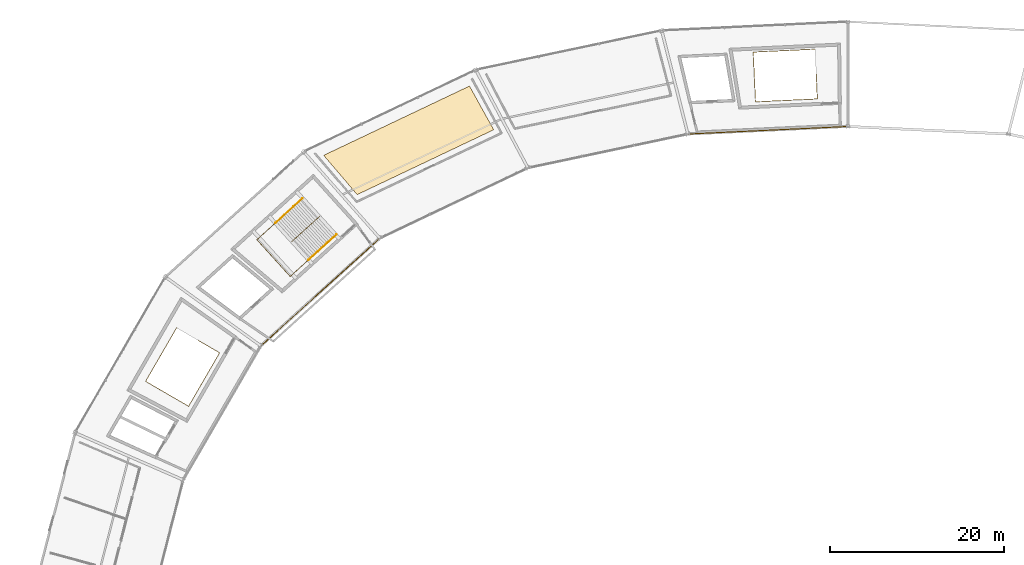
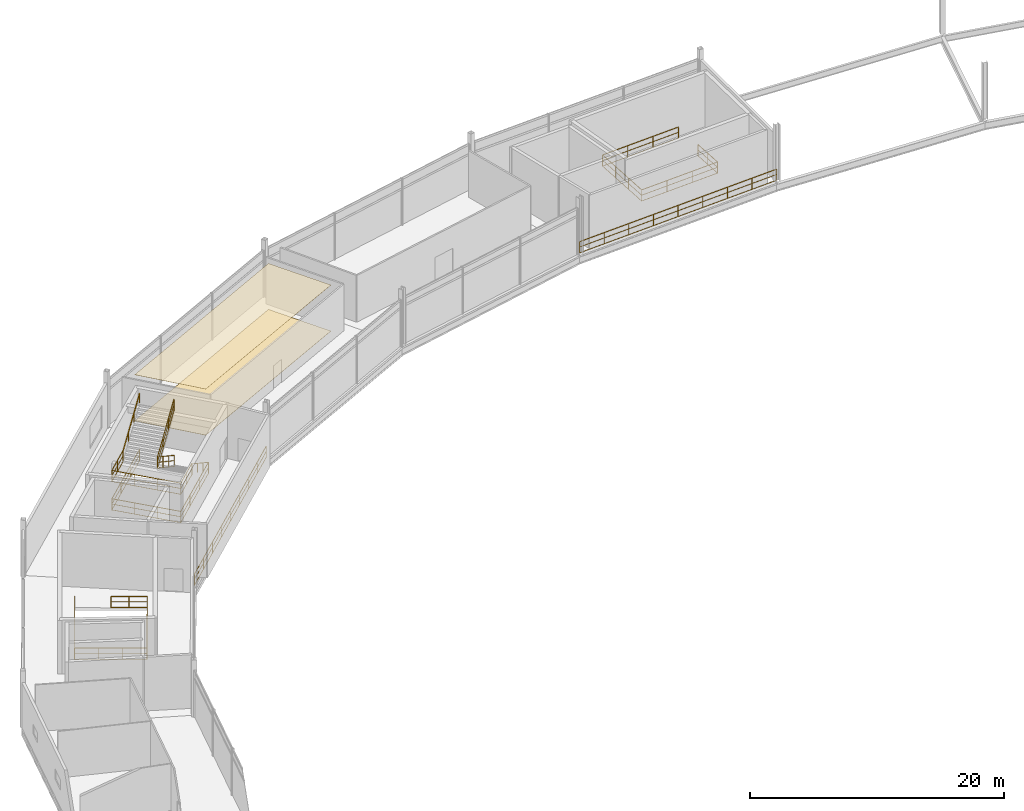
# One storey, part 85 of 86: 9 railings, 2 coverings.
"""IFC4 building model written with IfcOpenShell, lengths in metres."""

from ifc_helpers import new_model, si_unit, direction, frame, origin, origin_2d, place, context, subcontext, project, spatial, polyline, rectangle, outline, extrude, material, layer, layer_set, type_object, element, save


model = new_model("IFC4")

# Units and contexts
model_context = context("Model", 3, precision=1e-05, world=origin(), true_north=direction((0.0, 1.0)))
body_context = subcontext(model_context, "Body", "Model", "MODEL_VIEW")
ifc_project = project(units=[si_unit("LENGTHUNIT", "METRE"), si_unit("AREAUNIT", "SQUARE_METRE"), si_unit("VOLUMEUNIT", "CUBIC_METRE"), si_unit("PLANEANGLEUNIT", "RADIAN"), si_unit("MASSUNIT", "GRAM", prefix="KILO")], contexts=[model_context])

# Site, building, storey
site_placement = place(None, origin())
site = spatial("IfcSite", under=ifc_project, at=site_placement, CompositionType="ELEMENT")
building_placement = place(site_placement, origin())
building = spatial("IfcBuilding", under=site, at=building_placement, Name="Kazemori Nagisa Stadium", CompositionType="ELEMENT")
storey_placement = place(building_placement, frame((0.0, 0.0, 31.280029296875)))
storey = spatial("IfcBuildingStorey", under=building, at=storey_placement, Name="L06", CompositionType="ELEMENT", Elevation=31.280029296875)

# Coverings
ifc_material_1 = material(Name="Mineral-fibre acoustic board", Category="gypsum")
ifc_layer_1 = layer(ifc_material_1, 0.02001953125, Name="Mineral-fibre acoustic board", Category="gypsum")
ifc_layer_set_1 = layer_set([ifc_layer_1], Name="Mineral-fibre acoustic board")
covering_type_1 = type_object("IfcCoveringType", Name="Cov_CEIL", PredefinedType="CEILING", material=ifc_layer_set_1)
covering_1_placement = place(storey_placement, frame((0.0, 0.0, 4.429931640625)))
element("IfcCovering", 1, at=covering_1_placement, inside=storey, type_object=covering_type_1, Name="Acoustic ceiling L06-B10", PredefinedType="CEILING", context=body_context, shape_type="SweptSolid", body=[
    extrude(outline(polyline([(82.256591796875, 175.5810546875), (66.56201171875, 168.123291015625), (62.705810546875, 172.6416015625), (79.47265625, 180.60888671875), (82.256591796875, 175.5810546875)])), origin(), (0.0, 0.0, 1.0), 0.02001953125),
])
ifc_material_2 = material(Name="Porcelain stoneware tile", Category="masonry")
ifc_layer_2 = layer(ifc_material_2, 0.02490234375, Name="Porcelain stoneware tile", Category="masonry")
ifc_layer_set_2 = layer_set([ifc_layer_2], Name="Porcelain stoneware tile")
covering_type_2 = type_object("IfcCoveringType", Name="Cov_FLOOR", PredefinedType="FLOORING", material=ifc_layer_set_2)
covering_2_placement = place(storey_placement, origin())
element("IfcCovering", 2, at=covering_2_placement, inside=storey, type_object=covering_type_2, Name="Porcelain floor finish L06-B10", PredefinedType="FLOORING", context=body_context, shape_type="SweptSolid", body=[
    extrude(outline(polyline([(82.256591796875, 175.5810546875), (66.56201171875, 168.123291015625), (62.705810546875, 172.6416015625), (79.47265625, 180.60888671875), (82.256591796875, 175.5810546875)])), origin(), (0.0, 0.0, 1.0), 0.02490234375),
])

# Railings
ifc_material_3 = material(Name="Laminated safety glass and stainless steel SUS304", Category="steel")
railing_type_1 = type_object("IfcRailingType", Name="Rail_BAL", PredefinedType="BALUSTRADE", material=ifc_material_3)
railing_1_placement = place(storey_placement, frame((123.0, 175.9599609375, 0.0)))
element("IfcRailing", 3, at=railing_1_placement, inside=storey, type_object=railing_type_1, Name="Upper concourse balustrade L06-B08", PredefinedType="BALUSTRADE", context=body_context, shape_type="SweptSolid", body=[
    extrude(rectangle(XDim=0.050048828125, YDim=0.050048828125, at=origin_2d()), frame((0.0, 0.0, 1.09521484375), z_axis=(-0.9988839804, -0.047231278829, 0.0), x_axis=(0.047231278829, -0.9988839804, 0.0)), (0.0, 0.0, 1.0), 18.4482421875),
    extrude(rectangle(XDim=0.03759765625, YDim=0.03759765625, at=origin_2d()), frame((0.0, 0.0, 0.58251953125), z_axis=(-0.9988839804, -0.047231278829, 0.0), x_axis=(0.047231278829, -0.9988839804, 0.0)), (0.0, 0.0, 1.0), 18.4482421875),
    extrude(rectangle(XDim=0.03759765625, YDim=0.03759765625, at=origin_2d()), frame((0.0, 0.0, 0.02490234375), z_axis=(-0.9988839804, -0.047231278829, 0.0), x_axis=(0.047231278829, -0.9988839804, 0.0)), (0.0, 0.0, 1.0), 18.4482421875),
    extrude(rectangle(XDim=0.044921875, YDim=0.044921875, at=origin_2d()), origin(), (0.0, 0.0, 1.0), 1.070068359375),
    extrude(rectangle(XDim=0.044921875, YDim=0.044921875, at=origin_2d()), frame((-2.303466796875, -0.10888671875, 0.0)), (0.0, 0.0, 1.0), 1.070068359375),
    extrude(rectangle(XDim=0.044921875, YDim=0.044921875, at=origin_2d()), frame((-4.60693359375, -0.2177734375, 0.0)), (0.0, 0.0, 1.0), 1.070068359375),
    extrude(rectangle(XDim=0.044921875, YDim=0.044921875, at=origin_2d()), frame((-6.910400390625, -0.32666015625, 0.0)), (0.0, 0.0, 1.0), 1.070068359375),
    extrude(rectangle(XDim=0.044921875, YDim=0.044921875, at=origin_2d()), frame((-9.2138671875, -0.435546875, 0.0)), (0.0, 0.0, 1.0), 1.070068359375),
    extrude(rectangle(XDim=0.044921875, YDim=0.044921875, at=origin_2d()), frame((-11.517333984375, -0.544677734375, 0.0)), (0.0, 0.0, 1.0), 1.070068359375),
    extrude(rectangle(XDim=0.044921875, YDim=0.044921875, at=origin_2d()), frame((-13.82080078125, -0.653564453125, 0.0)), (0.0, 0.0, 1.0), 1.070068359375),
    extrude(rectangle(XDim=0.044921875, YDim=0.044921875, at=origin_2d()), frame((-16.124267578125, -0.762451171875, 0.0)), (0.0, 0.0, 1.0), 1.070068359375),
    extrude(rectangle(XDim=0.044921875, YDim=0.044921875, at=origin_2d()), frame((-18.427734375, -0.871337890625, 0.0)), (0.0, 0.0, 1.0), 1.070068359375),
])
railing_2_placement = place(storey_placement, frame((69.165771484375, 163.11083984375, 0.0)))
element("IfcRailing", 4, at=railing_2_placement, inside=storey, type_object=railing_type_1, Name="Upper concourse balustrade L06-B11", PredefinedType="BALUSTRADE", context=body_context, shape_type="SweptSolid", body=[
    extrude(rectangle(XDim=0.050048828125, YDim=0.050048828125, at=origin_2d()), frame((0.0, 0.0, 1.09521484375), z_axis=(-0.741349142139, -0.671119549298, 0.0), x_axis=(0.671119549298, -0.741349142139, 0.0)), (0.0, 0.0, 1.0), 18.44189453125),
    extrude(rectangle(XDim=0.03759765625, YDim=0.03759765625, at=origin_2d()), frame((0.0, 0.0, 0.58251953125), z_axis=(-0.741349142139, -0.671119549298, 0.0), x_axis=(0.671119549298, -0.741349142139, 0.0)), (0.0, 0.0, 1.0), 18.44189453125),
    extrude(rectangle(XDim=0.03759765625, YDim=0.03759765625, at=origin_2d()), frame((0.0, 0.0, 0.02490234375), z_axis=(-0.741349142139, -0.671119549298, 0.0), x_axis=(0.671119549298, -0.741349142139, 0.0)), (0.0, 0.0, 1.0), 18.44189453125),
    extrude(rectangle(XDim=0.044921875, YDim=0.044921875, at=origin_2d()), origin(), (0.0, 0.0, 1.0), 1.070068359375),
    extrude(rectangle(XDim=0.044921875, YDim=0.044921875, at=origin_2d()), frame((-1.708984375, -1.547119140625, 0.0)), (0.0, 0.0, 1.0), 1.070068359375),
    extrude(rectangle(XDim=0.044921875, YDim=0.044921875, at=origin_2d()), frame((-3.41796875, -3.09423828125, 0.0)), (0.0, 0.0, 1.0), 1.070068359375),
    extrude(rectangle(XDim=0.044921875, YDim=0.044921875, at=origin_2d()), frame((-5.126953125, -4.641357421875, 0.0)), (0.0, 0.0, 1.0), 1.070068359375),
    extrude(rectangle(XDim=0.044921875, YDim=0.044921875, at=origin_2d()), frame((-6.8359375, -6.1884765625, 0.0)), (0.0, 0.0, 1.0), 1.070068359375),
    extrude(rectangle(XDim=0.044921875, YDim=0.044921875, at=origin_2d()), frame((-8.544921875, -7.7353515625, 0.0)), (0.0, 0.0, 1.0), 1.070068359375),
    extrude(rectangle(XDim=0.044921875, YDim=0.044921875, at=origin_2d()), frame((-10.25390625, -9.282470703125, 0.0)), (0.0, 0.0, 1.0), 1.070068359375),
    extrude(rectangle(XDim=0.044921875, YDim=0.044921875, at=origin_2d()), frame((-11.962890625, -10.82958984375, 0.0)), (0.0, 0.0, 1.0), 1.070068359375),
    extrude(rectangle(XDim=0.044921875, YDim=0.044921875, at=origin_2d()), frame((-13.671875, -12.376708984375, 0.0)), (0.0, 0.0, 1.0), 1.070068359375),
])
ifc_material_4 = material(Name="Galvanised powder-coated steel", Category="steel")
railing_type_2 = type_object("IfcRailingType", Name="Rail_GUARD", PredefinedType="GUARDRAIL", material=ifc_material_4)
railing_3_placement = place(storey_placement, frame((119.31787109375, 181.9853515625, 0.0)))
element("IfcRailing", 5, at=railing_3_placement, inside=storey, type_object=railing_type_2, Name="Stair well perimeter guard ST05-L06", PredefinedType="GUARDRAIL", context=body_context, shape_type="SweptSolid", body=[
    extrude(rectangle(XDim=0.050048828125, YDim=0.050048828125, at=origin_2d()), frame((0.0, 0.0, 1.09521484375), z_axis=(0.047198860948, -0.998885512722, 0.0), x_axis=(0.998885512722, 0.047198860948, 0.0)), (0.0, 0.0, 1.0), 2.85009765625),
    extrude(rectangle(XDim=0.03759765625, YDim=0.03759765625, at=origin_2d()), frame((0.0, 0.0, 0.58251953125), z_axis=(0.047198860948, -0.998885512722, 0.0), x_axis=(0.998885512722, 0.047198860948, 0.0)), (0.0, 0.0, 1.0), 2.85009765625),
    extrude(rectangle(XDim=0.03759765625, YDim=0.03759765625, at=origin_2d()), frame((0.0, 0.0, 0.02490234375), z_axis=(0.047198860948, -0.998885512722, 0.0), x_axis=(0.998885512722, 0.047198860948, 0.0)), (0.0, 0.0, 1.0), 2.85009765625),
    extrude(rectangle(XDim=0.050048828125, YDim=0.050048828125, at=origin_2d()), frame((0.134521484375, -2.846923828125, 1.09521484375), z_axis=(-0.998884968272, -0.04721038191, 0.0), x_axis=(0.04721038191, -0.998884968272, 0.0)), (0.0, 0.0, 1.0), 7.094970703125),
    extrude(rectangle(XDim=0.03759765625, YDim=0.03759765625, at=origin_2d()), frame((0.134521484375, -2.846923828125, 0.58251953125), z_axis=(-0.998884968272, -0.04721038191, 0.0), x_axis=(0.04721038191, -0.998884968272, 0.0)), (0.0, 0.0, 1.0), 7.094970703125),
    extrude(rectangle(XDim=0.03759765625, YDim=0.03759765625, at=origin_2d()), frame((0.134521484375, -2.846923828125, 0.02490234375), z_axis=(-0.998884968272, -0.04721038191, 0.0), x_axis=(0.04721038191, -0.998884968272, 0.0)), (0.0, 0.0, 1.0), 7.094970703125),
    extrude(rectangle(XDim=0.050048828125, YDim=0.050048828125, at=origin_2d()), frame((-6.95263671875, -3.181884765625, 1.09521484375), z_axis=(-0.047200880317, 0.998885417301, 0.0), x_axis=(-0.998885417301, -0.047200880317, 0.0)), (0.0, 0.0, 1.0), 5.699951171875),
    extrude(rectangle(XDim=0.03759765625, YDim=0.03759765625, at=origin_2d()), frame((-6.95263671875, -3.181884765625, 0.58251953125), z_axis=(-0.047200880317, 0.998885417301, 0.0), x_axis=(-0.998885417301, -0.047200880317, 0.0)), (0.0, 0.0, 1.0), 5.699951171875),
    extrude(rectangle(XDim=0.03759765625, YDim=0.03759765625, at=origin_2d()), frame((-6.95263671875, -3.181884765625, 0.02490234375), z_axis=(-0.047200880317, 0.998885417301, 0.0), x_axis=(-0.998885417301, -0.047200880317, 0.0)), (0.0, 0.0, 1.0), 5.699951171875),
    extrude(rectangle(XDim=0.050048828125, YDim=0.050048828125, at=origin_2d()), frame((-7.2216796875, 2.51171875, 1.09521484375), z_axis=(0.998883268183, 0.047246338956, 0.0), x_axis=(-0.047246338956, 0.998883268183, 0.0)), (0.0, 0.0, 1.0), 7.0947265625),
    extrude(rectangle(XDim=0.03759765625, YDim=0.03759765625, at=origin_2d()), frame((-7.2216796875, 2.51171875, 0.58251953125), z_axis=(0.998883268183, 0.047246338956, 0.0), x_axis=(-0.047246338956, 0.998883268183, 0.0)), (0.0, 0.0, 1.0), 7.0947265625),
    extrude(rectangle(XDim=0.03759765625, YDim=0.03759765625, at=origin_2d()), frame((-7.2216796875, 2.51171875, 0.02490234375), z_axis=(0.998883268183, 0.047246338956, 0.0), x_axis=(-0.047246338956, 0.998883268183, 0.0)), (0.0, 0.0, 1.0), 7.0947265625),
    extrude(rectangle(XDim=0.044921875, YDim=0.044921875, at=origin_2d()), origin(), (0.0, 0.0, 1.0), 1.070068359375),
    extrude(rectangle(XDim=0.044921875, YDim=0.044921875, at=origin_2d()), frame((0.0673828125, -1.42333984375, 0.0)), (0.0, 0.0, 1.0), 1.070068359375),
    extrude(rectangle(XDim=0.044921875, YDim=0.044921875, at=origin_2d()), frame((0.134521484375, -2.846923828125, 0.0)), (0.0, 0.0, 1.0), 1.070068359375),
    extrude(rectangle(XDim=0.044921875, YDim=0.044921875, at=origin_2d()), frame((-2.227783203125, -2.95849609375, 0.0)), (0.0, 0.0, 1.0), 1.070068359375),
    extrude(rectangle(XDim=0.044921875, YDim=0.044921875, at=origin_2d()), frame((-4.59033203125, -3.0703125, 0.0)), (0.0, 0.0, 1.0), 1.070068359375),
    extrude(rectangle(XDim=0.044921875, YDim=0.044921875, at=origin_2d()), frame((-6.95263671875, -3.181884765625, 0.0)), (0.0, 0.0, 1.0), 1.070068359375),
    extrude(rectangle(XDim=0.044921875, YDim=0.044921875, at=origin_2d()), frame((-7.042236328125, -1.283935546875, 0.0)), (0.0, 0.0, 1.0), 1.070068359375),
    extrude(rectangle(XDim=0.044921875, YDim=0.044921875, at=origin_2d()), frame((-7.132080078125, 0.61376953125, 0.0)), (0.0, 0.0, 1.0), 1.070068359375),
    extrude(rectangle(XDim=0.044921875, YDim=0.044921875, at=origin_2d()), frame((-7.2216796875, 2.51171875, 0.0)), (0.0, 0.0, 1.0), 1.070068359375),
    extrude(rectangle(XDim=0.044921875, YDim=0.044921875, at=origin_2d()), frame((-4.859375, 2.62353515625, 0.0)), (0.0, 0.0, 1.0), 1.070068359375),
    extrude(rectangle(XDim=0.044921875, YDim=0.044921875, at=origin_2d()), frame((-2.4970703125, 2.735107421875, 0.0)), (0.0, 0.0, 1.0), 1.070068359375),
    extrude(rectangle(XDim=0.044921875, YDim=0.044921875, at=origin_2d()), frame((-0.134765625, 2.846923828125, 0.0)), (0.0, 0.0, 1.0), 1.070068359375),
])
railing_4_placement = place(storey_placement, frame((64.12109375, 163.4794921875, 0.0)))
element("IfcRailing", 6, at=railing_4_placement, inside=storey, type_object=railing_type_2, Name="Stair well perimeter guard ST02-L06", PredefinedType="GUARDRAIL", context=body_context, shape_type="SweptSolid", body=[
    extrude(rectangle(XDim=0.050048828125, YDim=0.050048828125, at=origin_2d()), frame((0.0, 0.0, 1.09521484375), z_axis=(-0.741333574744, -0.671136745349, 0.0), x_axis=(0.671136745349, -0.741333574744, 0.0)), (0.0, 0.0, 1.0), 7.094970703125),
    extrude(rectangle(XDim=0.03759765625, YDim=0.03759765625, at=origin_2d()), frame((0.0, 0.0, 0.58251953125), z_axis=(-0.741333574744, -0.671136745349, 0.0), x_axis=(0.671136745349, -0.741333574744, 0.0)), (0.0, 0.0, 1.0), 7.094970703125),
    extrude(rectangle(XDim=0.03759765625, YDim=0.03759765625, at=origin_2d()), frame((0.0, 0.0, 0.02490234375), z_axis=(-0.741333574744, -0.671136745349, 0.0), x_axis=(0.671136745349, -0.741333574744, 0.0)), (0.0, 0.0, 1.0), 7.094970703125),
    extrude(rectangle(XDim=0.050048828125, YDim=0.050048828125, at=origin_2d()), frame((-5.259765625, -4.76171875, 1.09521484375), z_axis=(-0.671112926645, 0.74135513736, 0.0), x_axis=(-0.74135513736, -0.671112926645, 0.0)), (0.0, 0.0, 1.0), 5.7001953125),
    extrude(rectangle(XDim=0.03759765625, YDim=0.03759765625, at=origin_2d()), frame((-5.259765625, -4.76171875, 0.58251953125), z_axis=(-0.671112926645, 0.74135513736, 0.0), x_axis=(-0.74135513736, -0.671112926645, 0.0)), (0.0, 0.0, 1.0), 5.7001953125),
    extrude(rectangle(XDim=0.03759765625, YDim=0.03759765625, at=origin_2d()), frame((-5.259765625, -4.76171875, 0.02490234375), z_axis=(-0.671112926645, 0.74135513736, 0.0), x_axis=(-0.74135513736, -0.671112926645, 0.0)), (0.0, 0.0, 1.0), 5.7001953125),
    extrude(rectangle(XDim=0.050048828125, YDim=0.050048828125, at=origin_2d()), frame((-9.085205078125, -0.535888671875, 1.09521484375), z_axis=(0.741366193318, 0.67110071331, 0.0), x_axis=(-0.67110071331, 0.741366193318, 0.0)), (0.0, 0.0, 1.0), 7.094970703125),
    extrude(rectangle(XDim=0.03759765625, YDim=0.03759765625, at=origin_2d()), frame((-9.085205078125, -0.535888671875, 0.58251953125), z_axis=(0.741366193318, 0.67110071331, 0.0), x_axis=(-0.67110071331, 0.741366193318, 0.0)), (0.0, 0.0, 1.0), 7.094970703125),
    extrude(rectangle(XDim=0.03759765625, YDim=0.03759765625, at=origin_2d()), frame((-9.085205078125, -0.535888671875, 0.02490234375), z_axis=(0.741366193318, 0.67110071331, 0.0), x_axis=(-0.67110071331, 0.741366193318, 0.0)), (0.0, 0.0, 1.0), 7.094970703125),
    extrude(rectangle(XDim=0.044921875, YDim=0.044921875, at=origin_2d()), origin(), (0.0, 0.0, 1.0), 1.070068359375),
    extrude(rectangle(XDim=0.044921875, YDim=0.044921875, at=origin_2d()), frame((-1.753173828125, -1.587158203125, 0.0)), (0.0, 0.0, 1.0), 1.070068359375),
    extrude(rectangle(XDim=0.044921875, YDim=0.044921875, at=origin_2d()), frame((-3.506591796875, -3.174560546875, 0.0)), (0.0, 0.0, 1.0), 1.070068359375),
    extrude(rectangle(XDim=0.044921875, YDim=0.044921875, at=origin_2d()), frame((-5.259765625, -4.76171875, 0.0)), (0.0, 0.0, 1.0), 1.070068359375),
    extrude(rectangle(XDim=0.044921875, YDim=0.044921875, at=origin_2d()), frame((-6.534912109375, -3.35302734375, 0.0)), (0.0, 0.0, 1.0), 1.070068359375),
    extrude(rectangle(XDim=0.044921875, YDim=0.044921875, at=origin_2d()), frame((-7.81005859375, -1.944580078125, 0.0)), (0.0, 0.0, 1.0), 1.070068359375),
    extrude(rectangle(XDim=0.044921875, YDim=0.044921875, at=origin_2d()), frame((-9.085205078125, -0.535888671875, 0.0)), (0.0, 0.0, 1.0), 1.070068359375),
    extrude(rectangle(XDim=0.044921875, YDim=0.044921875, at=origin_2d()), frame((-7.331787109375, 1.05126953125, 0.0)), (0.0, 0.0, 1.0), 1.070068359375),
    extrude(rectangle(XDim=0.044921875, YDim=0.044921875, at=origin_2d()), frame((-5.57861328125, 2.638427734375, 0.0)), (0.0, 0.0, 1.0), 1.070068359375),
    extrude(rectangle(XDim=0.044921875, YDim=0.044921875, at=origin_2d()), frame((-3.8251953125, 4.2255859375, 0.0)), (0.0, 0.0, 1.0), 1.070068359375),
])
railing_5_placement = place(storey_placement, frame((62.267822265625, 165.64599609375, 0.0)))
element("IfcRailing", 7, at=railing_5_placement, inside=storey, type_object=railing_type_2, Name="Stair central guard ST02-L06", PredefinedType="GUARDRAIL", context=body_context, shape_type="SweptSolid", body=[
    extrude(rectangle(XDim=0.050048828125, YDim=0.050048828125, at=origin_2d()), frame((0.0, 0.0, 1.09521484375), z_axis=(-0.627557777508, -0.568113486393, 0.532370456043), x_axis=(0.67112318634, -0.741345849626, 0.0)), (0.0, 0.0, 1.0), 5.109130859375),
    extrude(rectangle(XDim=0.03759765625, YDim=0.03759765625, at=origin_2d()), frame((0.0, 0.0, 0.58251953125), z_axis=(-0.627557777508, -0.568113486393, 0.532370456043), x_axis=(0.67112318634, -0.741345849626, 0.0)), (0.0, 0.0, 1.0), 5.109130859375),
    extrude(rectangle(XDim=0.03759765625, YDim=0.03759765625, at=origin_2d()), frame((0.0, 0.0, 0.02490234375), z_axis=(-0.627557777508, -0.568113486393, 0.532370456043), x_axis=(0.67112318634, -0.741345849626, 0.0)), (0.0, 0.0, 1.0), 5.109130859375),
    extrude(rectangle(XDim=0.050048828125, YDim=0.050048828125, at=origin_2d()), frame((-3.206298828125, -2.902587890625, 3.81494140625), z_axis=(0.624200602078, 0.565073454279, 0.539504957933), x_axis=(-0.671122625547, 0.741346357298, 0.0)), (0.0, 0.0, 1.0), 5.04150390625),
    extrude(rectangle(XDim=0.03759765625, YDim=0.03759765625, at=origin_2d()), frame((-3.206298828125, -2.902587890625, 3.302490234375), z_axis=(0.624200602078, 0.565073454279, 0.539504957933), x_axis=(-0.671122625547, 0.741346357298, 0.0)), (0.0, 0.0, 1.0), 5.04150390625),
    extrude(rectangle(XDim=0.03759765625, YDim=0.03759765625, at=origin_2d()), frame((-3.206298828125, -2.902587890625, 2.7451171875), z_axis=(0.624200602078, 0.565073454279, 0.539504957933), x_axis=(-0.671122625547, 0.741346357298, 0.0)), (0.0, 0.0, 1.0), 5.04150390625),
    extrude(rectangle(XDim=0.044921875, YDim=0.044921875, at=origin_2d()), origin(), (0.0, 0.0, 1.0), 1.070068359375),
    extrude(rectangle(XDim=0.044921875, YDim=0.044921875, at=origin_2d()), frame((-1.06884765625, -0.967529296875, 0.90673828125)), (0.0, 0.0, 1.0), 1.070068359375),
    extrude(rectangle(XDim=0.044921875, YDim=0.044921875, at=origin_2d()), frame((-2.137451171875, -1.93505859375, 1.813232421875)), (0.0, 0.0, 1.0), 1.070068359375),
    extrude(rectangle(XDim=0.044921875, YDim=0.044921875, at=origin_2d()), frame((-3.206298828125, -2.902587890625, 2.719970703125)), (0.0, 0.0, 1.0), 1.070068359375),
    extrude(rectangle(XDim=0.044921875, YDim=0.044921875, at=origin_2d()), frame((-2.1572265625, -1.952880859375, 3.626708984375)), (0.0, 0.0, 1.0), 1.070068359375),
    extrude(rectangle(XDim=0.044921875, YDim=0.044921875, at=origin_2d()), frame((-1.1083984375, -1.00341796875, 4.533203125)), (0.0, 0.0, 1.0), 1.070068359375),
    extrude(rectangle(XDim=0.044921875, YDim=0.044921875, at=origin_2d()), frame((-0.059326171875, -0.0537109375, 5.43994140625)), (0.0, 0.0, 1.0), 1.070068359375),
])
railing_6_placement = place(storey_placement, frame((60.97412109375, 160.630615234375, 2.719970703125)))
element("IfcRailing", 8, at=railing_6_placement, inside=storey, type_object=railing_type_2, Name="Stair landing guard ST02-L06", PredefinedType="GUARDRAIL", context=body_context, shape_type="SweptSolid", body=[
    extrude(rectangle(XDim=0.050048828125, YDim=0.050048828125, at=origin_2d()), frame((0.0, 0.0, 1.09521484375), z_axis=(-0.741314535645, -0.671157775223, 0.0), x_axis=(0.671157775223, -0.741314535645, 0.0)), (0.0, 0.0, 1.0), 2.85009765625),
    extrude(rectangle(XDim=0.03759765625, YDim=0.03759765625, at=origin_2d()), frame((0.0, 0.0, 0.58251953125), z_axis=(-0.741314535645, -0.671157775223, 0.0), x_axis=(0.671157775223, -0.741314535645, 0.0)), (0.0, 0.0, 1.0), 2.85009765625),
    extrude(rectangle(XDim=0.03759765625, YDim=0.03759765625, at=origin_2d()), frame((0.0, 0.0, 0.02490234375), z_axis=(-0.741314535645, -0.671157775223, 0.0), x_axis=(0.671157775223, -0.741314535645, 0.0)), (0.0, 0.0, 1.0), 2.85009765625),
    extrude(rectangle(XDim=0.050048828125, YDim=0.050048828125, at=origin_2d()), frame((-2.11279296875, -1.912841796875, 1.09521484375), z_axis=(-0.671112926645, 0.74135513736, 0.0), x_axis=(-0.74135513736, -0.671112926645, 0.0)), (0.0, 0.0, 1.0), 5.7001953125),
    extrude(rectangle(XDim=0.03759765625, YDim=0.03759765625, at=origin_2d()), frame((-2.11279296875, -1.912841796875, 0.58251953125), z_axis=(-0.671112926645, 0.74135513736, 0.0), x_axis=(-0.74135513736, -0.671112926645, 0.0)), (0.0, 0.0, 1.0), 5.7001953125),
    extrude(rectangle(XDim=0.03759765625, YDim=0.03759765625, at=origin_2d()), frame((-2.11279296875, -1.912841796875, 0.02490234375), z_axis=(-0.671112926645, 0.74135513736, 0.0), x_axis=(-0.74135513736, -0.671112926645, 0.0)), (0.0, 0.0, 1.0), 5.7001953125),
    extrude(rectangle(XDim=0.050048828125, YDim=0.050048828125, at=origin_2d()), frame((-5.938232421875, 2.31298828125, 1.09521484375), z_axis=(0.741357156534, 0.671110696127, 0.0), x_axis=(-0.671110696127, 0.741357156534, 0.0)), (0.0, 0.0, 1.0), 2.849853515625),
    extrude(rectangle(XDim=0.03759765625, YDim=0.03759765625, at=origin_2d()), frame((-5.938232421875, 2.31298828125, 0.58251953125), z_axis=(0.741357156534, 0.671110696127, 0.0), x_axis=(-0.671110696127, 0.741357156534, 0.0)), (0.0, 0.0, 1.0), 2.849853515625),
    extrude(rectangle(XDim=0.03759765625, YDim=0.03759765625, at=origin_2d()), frame((-5.938232421875, 2.31298828125, 0.02490234375), z_axis=(0.741357156534, 0.671110696127, 0.0), x_axis=(-0.671110696127, 0.741357156534, 0.0)), (0.0, 0.0, 1.0), 2.849853515625),
    extrude(rectangle(XDim=0.044921875, YDim=0.044921875, at=origin_2d()), origin(), (0.0, 0.0, 1.0), 1.070068359375),
    extrude(rectangle(XDim=0.044921875, YDim=0.044921875, at=origin_2d()), frame((-1.056396484375, -0.95654296875, 0.0)), (0.0, 0.0, 1.0), 1.070068359375),
    extrude(rectangle(XDim=0.044921875, YDim=0.044921875, at=origin_2d()), frame((-2.11279296875, -1.912841796875, 0.0)), (0.0, 0.0, 1.0), 1.070068359375),
    extrude(rectangle(XDim=0.044921875, YDim=0.044921875, at=origin_2d()), frame((-3.387939453125, -0.504150390625, 0.0)), (0.0, 0.0, 1.0), 1.070068359375),
    extrude(rectangle(XDim=0.044921875, YDim=0.044921875, at=origin_2d()), frame((-4.6630859375, 0.904296875, 0.0)), (0.0, 0.0, 1.0), 1.070068359375),
    extrude(rectangle(XDim=0.044921875, YDim=0.044921875, at=origin_2d()), frame((-5.938232421875, 2.31298828125, 0.0)), (0.0, 0.0, 1.0), 1.070068359375),
    extrude(rectangle(XDim=0.044921875, YDim=0.044921875, at=origin_2d()), frame((-4.8818359375, 3.269287109375, 0.0)), (0.0, 0.0, 1.0), 1.070068359375),
    extrude(rectangle(XDim=0.044921875, YDim=0.044921875, at=origin_2d()), frame((-3.825439453125, 4.2255859375, 0.0)), (0.0, 0.0, 1.0), 1.070068359375),
])
railing_7_placement = place(storey_placement, frame((48.2705078125, 151.3701171875, 0.0)))
element("IfcRailing", 9, at=railing_7_placement, inside=storey, type_object=railing_type_2, Name="Stair well perimeter guard ST08-L06", PredefinedType="GUARDRAIL", context=body_context, shape_type="SweptSolid", body=[
    extrude(rectangle(XDim=0.050048828125, YDim=0.050048828125, at=origin_2d()), frame((0.0, 0.0, 1.09521484375), z_axis=(0.865121146954, -0.501562958255, 0.0), x_axis=(0.501562958255, 0.865121146954, 0.0)), (0.0, 0.0, 1.0), 2.85009765625),
    extrude(rectangle(XDim=0.03759765625, YDim=0.03759765625, at=origin_2d()), frame((0.0, 0.0, 0.58251953125), z_axis=(0.865121146954, -0.501562958255, 0.0), x_axis=(0.501562958255, 0.865121146954, 0.0)), (0.0, 0.0, 1.0), 2.85009765625),
    extrude(rectangle(XDim=0.03759765625, YDim=0.03759765625, at=origin_2d()), frame((0.0, 0.0, 0.02490234375), z_axis=(0.865121146954, -0.501562958255, 0.0), x_axis=(0.501562958255, 0.865121146954, 0.0)), (0.0, 0.0, 1.0), 2.85009765625),
    extrude(rectangle(XDim=0.050048828125, YDim=0.050048828125, at=origin_2d()), frame((2.465576171875, -1.429443359375, 1.09521484375), z_axis=(-0.501595007813, -0.865102565097, 0.0), x_axis=(0.865102565097, -0.501595007813, 0.0)), (0.0, 0.0, 1.0), 7.094970703125),
    extrude(rectangle(XDim=0.03759765625, YDim=0.03759765625, at=origin_2d()), frame((2.465576171875, -1.429443359375, 0.58251953125), z_axis=(-0.501595007813, -0.865102565097, 0.0), x_axis=(0.865102565097, -0.501595007813, 0.0)), (0.0, 0.0, 1.0), 7.094970703125),
    extrude(rectangle(XDim=0.03759765625, YDim=0.03759765625, at=origin_2d()), frame((2.465576171875, -1.429443359375, 0.02490234375), z_axis=(-0.501595007813, -0.865102565097, 0.0), x_axis=(0.865102565097, -0.501595007813, 0.0)), (0.0, 0.0, 1.0), 7.094970703125),
    extrude(rectangle(XDim=0.050048828125, YDim=0.050048828125, at=origin_2d()), frame((-1.09326171875, -7.5673828125, 1.09521484375), z_axis=(-0.865102561401, 0.501595014188, 0.0), x_axis=(-0.501595014188, -0.865102561401, 0.0)), (0.0, 0.0, 1.0), 5.7001953125),
    extrude(rectangle(XDim=0.03759765625, YDim=0.03759765625, at=origin_2d()), frame((-1.09326171875, -7.5673828125, 0.58251953125), z_axis=(-0.865102561401, 0.501595014188, 0.0), x_axis=(-0.501595014188, -0.865102561401, 0.0)), (0.0, 0.0, 1.0), 5.7001953125),
    extrude(rectangle(XDim=0.03759765625, YDim=0.03759765625, at=origin_2d()), frame((-1.09326171875, -7.5673828125, 0.02490234375), z_axis=(-0.865102561401, 0.501595014188, 0.0), x_axis=(-0.501595014188, -0.865102561401, 0.0)), (0.0, 0.0, 1.0), 5.7001953125),
    extrude(rectangle(XDim=0.050048828125, YDim=0.050048828125, at=origin_2d()), frame((-6.0244140625, -4.708251953125, 1.09521484375), z_axis=(0.501620759697, 0.865087633388, 0.0), x_axis=(-0.865087633388, 0.501620759697, 0.0)), (0.0, 0.0, 1.0), 7.09521484375),
    extrude(rectangle(XDim=0.03759765625, YDim=0.03759765625, at=origin_2d()), frame((-6.0244140625, -4.708251953125, 0.58251953125), z_axis=(0.501620759697, 0.865087633388, 0.0), x_axis=(-0.865087633388, 0.501620759697, 0.0)), (0.0, 0.0, 1.0), 7.09521484375),
    extrude(rectangle(XDim=0.03759765625, YDim=0.03759765625, at=origin_2d()), frame((-6.0244140625, -4.708251953125, 0.02490234375), z_axis=(0.501620759697, 0.865087633388, 0.0), x_axis=(-0.865087633388, 0.501620759697, 0.0)), (0.0, 0.0, 1.0), 7.09521484375),
    extrude(rectangle(XDim=0.044921875, YDim=0.044921875, at=origin_2d()), origin(), (0.0, 0.0, 1.0), 1.070068359375),
    extrude(rectangle(XDim=0.044921875, YDim=0.044921875, at=origin_2d()), frame((1.23291015625, -0.71484375, 0.0)), (0.0, 0.0, 1.0), 1.070068359375),
    extrude(rectangle(XDim=0.044921875, YDim=0.044921875, at=origin_2d()), frame((2.465576171875, -1.429443359375, 0.0)), (0.0, 0.0, 1.0), 1.070068359375),
    extrude(rectangle(XDim=0.044921875, YDim=0.044921875, at=origin_2d()), frame((1.279296875, -3.475341796875, 0.0)), (0.0, 0.0, 1.0), 1.070068359375),
    extrude(rectangle(XDim=0.044921875, YDim=0.044921875, at=origin_2d()), frame((0.093017578125, -5.521484375, 0.0)), (0.0, 0.0, 1.0), 1.070068359375),
    extrude(rectangle(XDim=0.044921875, YDim=0.044921875, at=origin_2d()), frame((-1.09326171875, -7.5673828125, 0.0)), (0.0, 0.0, 1.0), 1.070068359375),
    extrude(rectangle(XDim=0.044921875, YDim=0.044921875, at=origin_2d()), frame((-2.737060546875, -6.6142578125, 0.0)), (0.0, 0.0, 1.0), 1.070068359375),
    extrude(rectangle(XDim=0.044921875, YDim=0.044921875, at=origin_2d()), frame((-4.380615234375, -5.661376953125, 0.0)), (0.0, 0.0, 1.0), 1.070068359375),
    extrude(rectangle(XDim=0.044921875, YDim=0.044921875, at=origin_2d()), frame((-6.0244140625, -4.708251953125, 0.0)), (0.0, 0.0, 1.0), 1.070068359375),
    extrude(rectangle(XDim=0.044921875, YDim=0.044921875, at=origin_2d()), frame((-4.838134765625, -2.662353515625, 0.0)), (0.0, 0.0, 1.0), 1.070068359375),
    extrude(rectangle(XDim=0.044921875, YDim=0.044921875, at=origin_2d()), frame((-3.651611328125, -0.6162109375, 0.0)), (0.0, 0.0, 1.0), 1.070068359375),
    extrude(rectangle(XDim=0.044921875, YDim=0.044921875, at=origin_2d()), frame((-2.46533203125, 1.4296875, 0.0)), (0.0, 0.0, 1.0), 1.070068359375),
])
ifc_material_5 = material(Name="Stainless steel SUS304", Category="steel")
railing_type_3 = type_object("IfcRailingType", Name="Rail_HAND", PredefinedType="HANDRAIL", material=ifc_material_5)
railing_8_placement = place(storey_placement, frame((64.180419921875, 163.533203125, 0.169921875)))
element("IfcRailing", 10, at=railing_8_placement, inside=storey, type_object=railing_type_3, Name="Stair handrail ST02-L06-F1", PredefinedType="HANDRAIL", context=body_context, shape_type="SweptSolid", body=[
    extrude(rectangle(XDim=0.050048828125, YDim=0.050048828125, at=origin_2d()), frame((0.0, 0.0, 0.875), z_axis=(-0.627557777508, -0.568113486393, 0.532370456043), x_axis=(0.67112318634, -0.741345849626, 0.0)), (0.0, 0.0, 1.0), 5.109130859375),
    extrude(rectangle(XDim=0.044921875, YDim=0.044921875, at=origin_2d()), origin(), (0.0, 0.0, 1.0), 0.849853515625),
    extrude(rectangle(XDim=0.044921875, YDim=0.044921875, at=origin_2d()), frame((-1.06884765625, -0.967529296875, 0.90673828125)), (0.0, 0.0, 1.0), 0.849853515625),
    extrude(rectangle(XDim=0.044921875, YDim=0.044921875, at=origin_2d()), frame((-2.137451171875, -1.93505859375, 1.813232421875)), (0.0, 0.0, 1.0), 0.849853515625),
    extrude(rectangle(XDim=0.044921875, YDim=0.044921875, at=origin_2d()), frame((-3.206298828125, -2.902587890625, 2.719970703125)), (0.0, 0.0, 1.0), 0.849853515625),
])
railing_9_placement = place(storey_placement, frame((57.148681640625, 164.856201171875, 2.889892578125)))
element("IfcRailing", 11, at=railing_9_placement, inside=storey, type_object=railing_type_3, Name="Stair handrail ST02-L06-F2", PredefinedType="HANDRAIL", context=body_context, shape_type="SweptSolid", body=[
    extrude(rectangle(XDim=0.050048828125, YDim=0.050048828125, at=origin_2d()), frame((0.0, 0.0, 0.875), z_axis=(0.624230158192, 0.5650563739, 0.539488650408), x_axis=(-0.67109401143, 0.741372259949, 0.0)), (0.0, 0.0, 1.0), 5.041748046875),
    extrude(rectangle(XDim=0.044921875, YDim=0.044921875, at=origin_2d()), origin(), (0.0, 0.0, 1.0), 0.849853515625),
    extrude(rectangle(XDim=0.044921875, YDim=0.044921875, at=origin_2d()), frame((1.049072265625, 0.94970703125, 0.90673828125)), (0.0, 0.0, 1.0), 0.849853515625),
    extrude(rectangle(XDim=0.044921875, YDim=0.044921875, at=origin_2d()), frame((2.09814453125, 1.899169921875, 1.813232421875)), (0.0, 0.0, 1.0), 0.849853515625),
    extrude(rectangle(XDim=0.044921875, YDim=0.044921875, at=origin_2d()), frame((3.147216796875, 2.848876953125, 2.719970703125)), (0.0, 0.0, 1.0), 0.849853515625),
])

save(model, "model.ifc")
